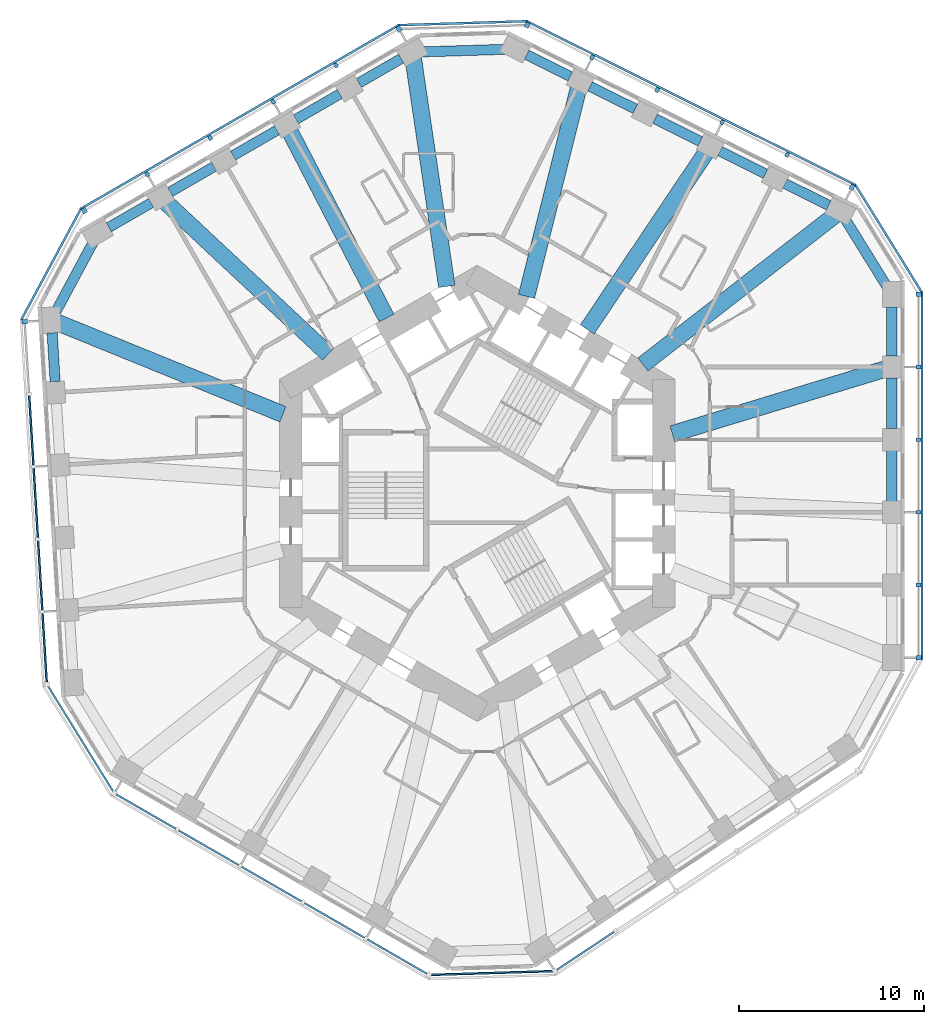
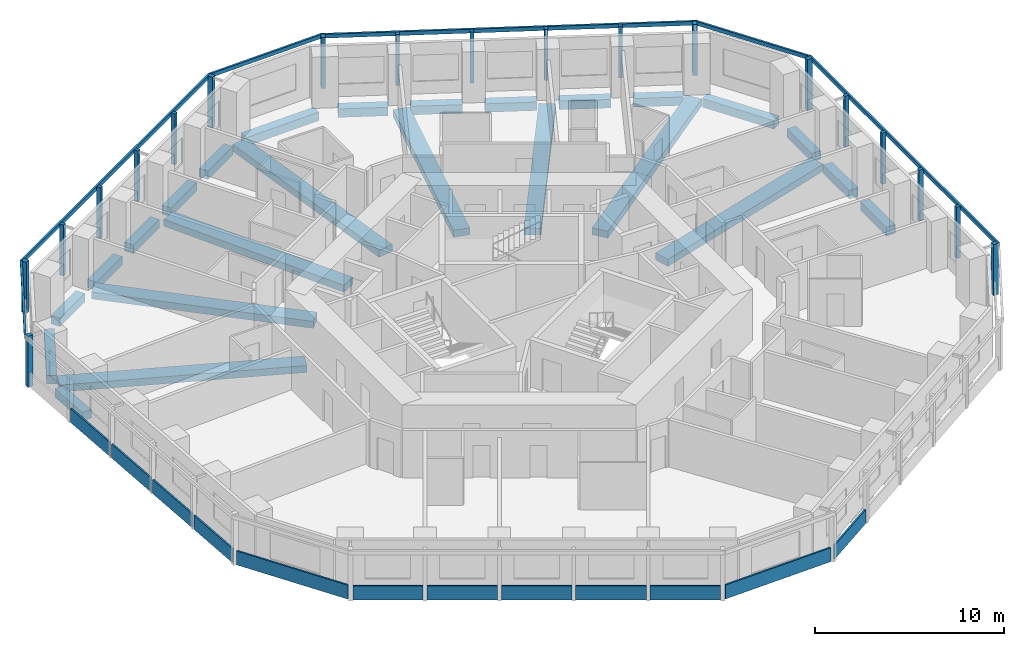
# One storey, part 2 of 12: 25 beams, 25 members, 12 plates, 11 elements without a shape of their own.
"""IFC4 building model written with IfcOpenShell, lengths in metres."""

from ifc_helpers import new_model, si_unit, direction, frame, origin, origin_2d, place, context, subcontext, project, spatial, rectangle, extrude, material, layer, layer_set, material_profile, profile_set, type_object, element, aggregate, save


model = new_model("IFC4")

# Units and contexts
model_context = context("Model", 3, precision=1e-05, world=origin(), true_north=direction((0.0, 1.0)))
body_context = subcontext(model_context, "Body", "Model", "MODEL_VIEW")
ifc_project = project(units=[si_unit("LENGTHUNIT", "METRE"), si_unit("AREAUNIT", "SQUARE_METRE"), si_unit("VOLUMEUNIT", "CUBIC_METRE"), si_unit("PLANEANGLEUNIT", "RADIAN"), si_unit("MASSUNIT", "GRAM", prefix="KILO")], contexts=[model_context])

# Site, building, storey
site_placement = place(None, origin())
site = spatial("IfcSite", under=ifc_project, at=site_placement, CompositionType="ELEMENT")
building_placement = place(site_placement, origin())
building = spatial("IfcBuilding", under=site, at=building_placement, Name="Vanh Sen Convention Tower", CompositionType="ELEMENT")
storey_placement = place(building_placement, frame((0.0, 0.0, 83.60009765625)))
storey = spatial("IfcBuildingStorey", under=building, at=storey_placement, Name="L18", CompositionType="ELEMENT", Elevation=83.60009765625)

# Curtain wall, members
ifc_material_1 = material(Name="Concrete C50/60", Category="concrete")
curtain_wall_type = type_object("IfcCurtainWallType", Name="Outer skin hotel zone", PredefinedType="NOTDEFINED", material=ifc_material_1)
curtain_wall_1_placement = place(storey_placement, origin())
curtain_wall_1 = element("IfcCurtainWall", 1, at=curtain_wall_1_placement, inside=storey, type_object=curtain_wall_type, Name="OUTER SKIN E L18", PredefinedType="NOTDEFINED")
ifc_material_profile_1 = material_profile(ifc_material_1, rectangle(XDim=0.25, YDim=0.300048828125, at=origin_2d()), Name="Outer skin precast corner fin 250 x 300")
ifc_profile_set_1 = profile_set([ifc_material_profile_1], Name="Concrete C50/60")
member_type_1 = type_object("IfcMemberType", Name="Outer skin precast corner fin 250 x 300", PredefinedType="MULLION", material=ifc_profile_set_1)
member_1_placement = place(storey_placement, frame((23.89990234375, -8.899169921875, 0.0), z_axis=(0.0, 0.0, 1.0), x_axis=(0.0, 1.0, 0.0)))
member_1 = element("IfcMember", 2, at=member_1_placement, type_object=member_type_1, Name="OUTER SKIN CORNER FIN 1 E L18", PredefinedType="MULLION", context=body_context, shape_type="SweptSolid", body=[
    extrude(rectangle(XDim=0.25, YDim=0.300048828125, at=origin_2d()), origin(), (0.0, 0.0, 1.0), 3.2998046875),
])
member_2_placement = place(storey_placement, frame((23.89990234375, 10.773681640625, 0.0), z_axis=(0.0, 0.0, 1.0), x_axis=(0.0, 1.0, 0.0)))
member_2 = element("IfcMember", 3, at=member_2_placement, type_object=member_type_1, Name="OUTER SKIN CORNER FIN 6 E L18", PredefinedType="MULLION", context=body_context, shape_type="SweptSolid", body=[
    extrude(rectangle(XDim=0.25, YDim=0.300048828125, at=origin_2d()), origin(), (0.0, 0.0, 1.0), 3.2998046875),
])

curtain_wall_2_placement = place(storey_placement, origin())
curtain_wall_2 = element("IfcCurtainWall", 4, at=curtain_wall_2_placement, inside=storey, type_object=curtain_wall_type, Name="OUTER SKIN NE L18", PredefinedType="NOTDEFINED")
member_3_placement = place(storey_placement, frame((20.305908203125, 16.581787109375, 0.0), z_axis=(0.0, 0.0, 1.0), x_axis=(-0.894934361602, 0.44619781311, 0.0)))
member_3 = element("IfcMember", 5, at=member_3_placement, type_object=member_type_1, Name="OUTER SKIN CORNER FIN 1 NE L18", PredefinedType="MULLION", context=body_context, shape_type="SweptSolid", body=[
    extrude(rectangle(XDim=0.25, YDim=0.300048828125, at=origin_2d()), origin(), (0.0, 0.0, 1.0), 3.2998046875),
])
member_4_placement = place(storey_placement, frame((2.699951171875, 25.35986328125, 0.0), z_axis=(0.0, 0.0, 1.0), x_axis=(-0.894934361602, 0.44619781311, 0.0)))
member_4 = element("IfcMember", 6, at=member_4_placement, type_object=member_type_1, Name="OUTER SKIN CORNER FIN 6 NE L18", PredefinedType="MULLION", context=body_context, shape_type="SweptSolid", body=[
    extrude(rectangle(XDim=0.25, YDim=0.300048828125, at=origin_2d()), origin(), (0.0, 0.0, 1.0), 3.2998046875),
])

curtain_wall_3_placement = place(storey_placement, origin())
curtain_wall_3 = element("IfcCurtainWall", 7, at=curtain_wall_3_placement, inside=storey, type_object=curtain_wall_type, Name="OUTER SKIN NW L18", PredefinedType="NOTDEFINED")
member_5_placement = place(storey_placement, frame((-4.242919921875, 25.147705078125, 0.0), z_axis=(0.0, 0.0, 1.0), x_axis=(-0.866025403784, -0.5, 0.0)))
member_5 = element("IfcMember", 8, at=member_5_placement, type_object=member_type_1, Name="OUTER SKIN CORNER FIN 1 NW L18", PredefinedType="MULLION", context=body_context, shape_type="SweptSolid", body=[
    extrude(rectangle(XDim=0.25, YDim=0.300048828125, at=origin_2d()), origin(), (0.0, 0.0, 1.0), 3.2998046875),
])
member_6_placement = place(storey_placement, frame((-21.2802734375, 15.31103515625, 0.0), z_axis=(0.0, 0.0, 1.0), x_axis=(-0.866025403784, -0.5, 0.0)))
member_6 = element("IfcMember", 9, at=member_6_placement, type_object=member_type_1, Name="OUTER SKIN CORNER FIN 6 NW L18", PredefinedType="MULLION", context=body_context, shape_type="SweptSolid", body=[
    extrude(rectangle(XDim=0.25, YDim=0.300048828125, at=origin_2d()), origin(), (0.0, 0.0, 1.0), 3.2998046875),
])

# Curtain wall, member
curtain_wall_4_placement = place(storey_placement, origin())
curtain_wall_4 = element("IfcCurtainWall", 10, at=curtain_wall_4_placement, inside=storey, type_object=curtain_wall_type, Name="OUTER SKIN W L18", PredefinedType="NOTDEFINED")
member_7_placement = place(storey_placement, frame((-24.51318359375, 9.294677734375, 0.0), z_axis=(0.0, 0.0, 1.0), x_axis=(0.061048539535, -0.998134798422, 0.0)))
member_7 = element("IfcMember", 11, at=member_7_placement, type_object=member_type_1, Name="OUTER SKIN CORNER FIN 1 W L18", PredefinedType="MULLION", context=body_context, shape_type="SweptSolid", body=[
    extrude(rectangle(XDim=0.25, YDim=0.300048828125, at=origin_2d()), origin(), (0.0, 0.0, 1.0), 3.2998046875),
])

# Member
ifc_material_profile_2 = material_profile(ifc_material_1, rectangle(XDim=0.199951171875, YDim=0.25, at=origin_2d()), Name="Outer skin precast fin 200 x 250")
ifc_profile_set_2 = profile_set([ifc_material_profile_2], Name="Concrete C50/60")
member_type_2 = type_object("IfcMemberType", Name="Outer skin precast fin 200 x 250", PredefinedType="MULLION", material=ifc_profile_set_2)
member_8_placement = place(storey_placement, frame((23.89990234375, -4.964599609375, 0.0), z_axis=(0.0, 0.0, 1.0), x_axis=(0.0, 1.0, 0.0)))
member_8 = element("IfcMember", 12, at=member_8_placement, type_object=member_type_2, Name="OUTER SKIN fin 2 E L18", PredefinedType="MULLION", context=body_context, shape_type="SweptSolid", body=[
    extrude(rectangle(XDim=0.199951171875, YDim=0.25, at=origin_2d()), origin(), (0.0, 0.0, 1.0), 3.2998046875),
])

member_9_placement = place(storey_placement, frame((23.89990234375, -1.030029296875, 0.0), z_axis=(0.0, 0.0, 1.0), x_axis=(0.0, 1.0, 0.0)))
member_9 = element("IfcMember", 13, at=member_9_placement, type_object=member_type_2, Name="OUTER SKIN fin 3 E L18", PredefinedType="MULLION", context=body_context, shape_type="SweptSolid", body=[
    extrude(rectangle(XDim=0.199951171875, YDim=0.25, at=origin_2d()), origin(), (0.0, 0.0, 1.0), 3.2998046875),
])

member_10_placement = place(storey_placement, frame((23.89990234375, 2.904541015625, 0.0), z_axis=(0.0, 0.0, 1.0), x_axis=(0.0, 1.0, 0.0)))
member_10 = element("IfcMember", 14, at=member_10_placement, type_object=member_type_2, Name="OUTER SKIN fin 4 E L18", PredefinedType="MULLION", context=body_context, shape_type="SweptSolid", body=[
    extrude(rectangle(XDim=0.199951171875, YDim=0.25, at=origin_2d()), origin(), (0.0, 0.0, 1.0), 3.2998046875),
])

member_11_placement = place(storey_placement, frame((23.89990234375, 6.839111328125, 0.0), z_axis=(0.0, 0.0, 1.0), x_axis=(0.0, 1.0, 0.0)))
member_11 = element("IfcMember", 15, at=member_11_placement, type_object=member_type_2, Name="OUTER SKIN fin 5 E L18", PredefinedType="MULLION", context=body_context, shape_type="SweptSolid", body=[
    extrude(rectangle(XDim=0.199951171875, YDim=0.25, at=origin_2d()), origin(), (0.0, 0.0, 1.0), 3.2998046875),
])

member_12_placement = place(storey_placement, frame((16.78466796875, 18.33740234375, 0.0), z_axis=(0.0, 0.0, 1.0), x_axis=(-0.894934361602, 0.44619781311, 0.0)))
member_12 = element("IfcMember", 16, at=member_12_placement, type_object=member_type_2, Name="OUTER SKIN fin 2 NE L18", PredefinedType="MULLION", context=body_context, shape_type="SweptSolid", body=[
    extrude(rectangle(XDim=0.199951171875, YDim=0.25, at=origin_2d()), origin(), (0.0, 0.0, 1.0), 3.2998046875),
])

member_13_placement = place(storey_placement, frame((13.263427734375, 20.093017578125, 0.0), z_axis=(0.0, 0.0, 1.0), x_axis=(-0.894934361602, 0.44619781311, 0.0)))
member_13 = element("IfcMember", 17, at=member_13_placement, type_object=member_type_2, Name="OUTER SKIN fin 3 NE L18", PredefinedType="MULLION", context=body_context, shape_type="SweptSolid", body=[
    extrude(rectangle(XDim=0.199951171875, YDim=0.25, at=origin_2d()), origin(), (0.0, 0.0, 1.0), 3.2998046875),
])

member_14_placement = place(storey_placement, frame((9.7421875, 21.8486328125, 0.0), z_axis=(0.0, 0.0, 1.0), x_axis=(-0.894934361602, 0.44619781311, 0.0)))
member_14 = element("IfcMember", 18, at=member_14_placement, type_object=member_type_2, Name="OUTER SKIN fin 4 NE L18", PredefinedType="MULLION", context=body_context, shape_type="SweptSolid", body=[
    extrude(rectangle(XDim=0.199951171875, YDim=0.25, at=origin_2d()), origin(), (0.0, 0.0, 1.0), 3.2998046875),
])

member_15_placement = place(storey_placement, frame((6.22119140625, 23.604248046875, 0.0), z_axis=(0.0, 0.0, 1.0), x_axis=(-0.894934361602, 0.44619781311, 0.0)))
member_15 = element("IfcMember", 19, at=member_15_placement, type_object=member_type_2, Name="OUTER SKIN fin 5 NE L18", PredefinedType="MULLION", context=body_context, shape_type="SweptSolid", body=[
    extrude(rectangle(XDim=0.199951171875, YDim=0.25, at=origin_2d()), origin(), (0.0, 0.0, 1.0), 3.2998046875),
])

member_16_placement = place(storey_placement, frame((-7.650390625, 23.180419921875, 0.0), z_axis=(0.0, 0.0, 1.0), x_axis=(-0.866025403784, -0.5, 0.0)))
member_16 = element("IfcMember", 20, at=member_16_placement, type_object=member_type_2, Name="OUTER SKIN fin 2 NW L18", PredefinedType="MULLION", context=body_context, shape_type="SweptSolid", body=[
    extrude(rectangle(XDim=0.199951171875, YDim=0.25, at=origin_2d()), origin(), (0.0, 0.0, 1.0), 3.2998046875),
])

member_17_placement = place(storey_placement, frame((-11.057861328125, 21.212890625, 0.0), z_axis=(0.0, 0.0, 1.0), x_axis=(-0.866025403784, -0.5, 0.0)))
member_17 = element("IfcMember", 21, at=member_17_placement, type_object=member_type_2, Name="OUTER SKIN fin 3 NW L18", PredefinedType="MULLION", context=body_context, shape_type="SweptSolid", body=[
    extrude(rectangle(XDim=0.199951171875, YDim=0.25, at=origin_2d()), origin(), (0.0, 0.0, 1.0), 3.2998046875),
])

member_18_placement = place(storey_placement, frame((-14.46533203125, 19.24560546875, 0.0), z_axis=(0.0, 0.0, 1.0), x_axis=(-0.866025403784, -0.5, 0.0)))
member_18 = element("IfcMember", 22, at=member_18_placement, type_object=member_type_2, Name="OUTER SKIN fin 4 NW L18", PredefinedType="MULLION", context=body_context, shape_type="SweptSolid", body=[
    extrude(rectangle(XDim=0.199951171875, YDim=0.25, at=origin_2d()), origin(), (0.0, 0.0, 1.0), 3.2998046875),
])

member_19_placement = place(storey_placement, frame((-17.872802734375, 17.2783203125, 0.0), z_axis=(0.0, 0.0, 1.0), x_axis=(-0.866025403784, -0.5, 0.0)))
member_19 = element("IfcMember", 23, at=member_19_placement, type_object=member_type_2, Name="OUTER SKIN fin 5 NW L18", PredefinedType="MULLION", context=body_context, shape_type="SweptSolid", body=[
    extrude(rectangle(XDim=0.199951171875, YDim=0.25, at=origin_2d()), origin(), (0.0, 0.0, 1.0), 3.2998046875),
])

ifc_material_profile_3 = material_profile(ifc_material_1, rectangle(XDim=0.1201171875, YDim=0.25, at=origin_2d()), Name="Outer skin precast spandrel band 250 x 120")
ifc_profile_set_3 = profile_set([ifc_material_profile_3], Name="Concrete C50/60")
member_type_3 = type_object("IfcMemberType", Name="Outer skin precast spandrel band 250 x 120", PredefinedType="USERDEFINED", material=ifc_profile_set_3)
member_20_placement = place(storey_placement, frame((24.0849609375, -9.024169921875, 3.1748046875), z_axis=(0.0, 1.0, 0.0), x_axis=(-1.0, 0.0, 0.0)))
member_20 = element("IfcMember", 24, at=member_20_placement, type_object=member_type_3, Name="OUTER SKIN spandrel band E L18", ObjectType="TRANSOM", PredefinedType="USERDEFINED", context=body_context, shape_type="SweptSolid", body=[
    extrude(rectangle(XDim=0.1201171875, YDim=0.25, at=origin_2d()), origin(), (0.0, 0.0, 1.0), 19.9228515625),
])

aggregate(curtain_wall_1, [member_1, member_8, member_9, member_10, member_11, member_2, member_20])

# Curtain wall, member
curtain_wall_5_placement = place(storey_placement, origin())
curtain_wall_5 = element("IfcCurtainWall", 25, at=curtain_wall_5_placement, inside=storey, type_object=curtain_wall_type, Name="OUTER SKIN CH1 L18", PredefinedType="NOTDEFINED")
member_21_placement = place(storey_placement, frame((24.07861328125, 10.88427734375, 3.1748046875), z_axis=(-0.526195864379, 0.850363400148, 0.0), x_axis=(-0.850363400148, -0.526195864379, 0.0)))
member_21 = element("IfcMember", 26, at=member_21_placement, type_object=member_type_3, Name="OUTER SKIN spandrel band CH1 L18", ObjectType="TRANSOM", PredefinedType="USERDEFINED", context=body_context, shape_type="SweptSolid", body=[
    extrude(rectangle(XDim=0.1201171875, YDim=0.25, at=origin_2d()), origin(), (0.0, 0.0, 1.0), 6.830078125),
])
aggregate(curtain_wall_5, [member_21])

# Member
member_22_placement = place(storey_placement, frame((20.500244140625, 16.69140625, 3.1748046875), z_axis=(-0.894931498167, 0.446203556227, 0.0), x_axis=(-0.446203556227, -0.894931498167, 0.0)))
member_22 = element("IfcMember", 27, at=member_22_placement, type_object=member_type_3, Name="OUTER SKIN spandrel band NE L18", ObjectType="TRANSOM", PredefinedType="USERDEFINED", context=body_context, shape_type="SweptSolid", body=[
    extrude(rectangle(XDim=0.1201171875, YDim=0.25, at=origin_2d()), origin(), (0.0, 0.0, 1.0), 19.9228515625),
])

aggregate(curtain_wall_2, [member_3, member_12, member_13, member_14, member_15, member_4, member_22])

# Curtain wall, member
curtain_wall_6_placement = place(storey_placement, origin())
curtain_wall_6 = element("IfcCurtainWall", 28, at=curtain_wall_6_placement, inside=storey, type_object=curtain_wall_type, Name="OUTER SKIN CH2 L18", PredefinedType="NOTDEFINED")
member_23_placement = place(storey_placement, frame((2.693603515625, 25.569580078125, 3.1748046875), z_axis=(-0.999533472857, -0.030542374483, 0.0), x_axis=(0.030542374483, -0.999533472857, 0.0)))
member_23 = element("IfcMember", 29, at=member_23_placement, type_object=member_type_3, Name="OUTER SKIN spandrel band CH2 L18", ObjectType="TRANSOM", PredefinedType="USERDEFINED", context=body_context, shape_type="SweptSolid", body=[
    extrude(rectangle(XDim=0.1201171875, YDim=0.25, at=origin_2d()), origin(), (0.0, 0.0, 1.0), 6.9462890625),
])
aggregate(curtain_wall_6, [member_23])

# Member
member_24_placement = place(storey_placement, frame((-4.227294921875, 25.370361328125, 3.1748046875), z_axis=(-0.866028047459, -0.499995420993, 0.0), x_axis=(0.499995420993, -0.866028047459, 0.0)))
member_24 = element("IfcMember", 30, at=member_24_placement, type_object=member_type_3, Name="OUTER SKIN spandrel band NW L18", ObjectType="TRANSOM", PredefinedType="USERDEFINED", context=body_context, shape_type="SweptSolid", body=[
    extrude(rectangle(XDim=0.1201171875, YDim=0.25, at=origin_2d()), origin(), (0.0, 0.0, 1.0), 19.923095703125),
])

aggregate(curtain_wall_3, [member_5, member_16, member_17, member_18, member_19, member_6, member_24])

# Curtain wall, member
curtain_wall_7_placement = place(storey_placement, origin())
curtain_wall_7 = element("IfcCurtainWall", 31, at=curtain_wall_7_placement, inside=storey, type_object=curtain_wall_type, Name="OUTER SKIN CH3 L18", PredefinedType="NOTDEFINED")
member_25_placement = place(storey_placement, frame((-21.46533203125, 15.410400390625, 3.1748046875), z_axis=(-0.473315186561, -0.880893145717, 0.0), x_axis=(0.880893145717, -0.473315186561, 0.0)))
member_25 = element("IfcMember", 32, at=member_25_placement, type_object=member_type_3, Name="OUTER SKIN spandrel band CH3 L18", ObjectType="TRANSOM", PredefinedType="USERDEFINED", context=body_context, shape_type="SweptSolid", body=[
    extrude(rectangle(XDim=0.1201171875, YDim=0.25, at=origin_2d()), origin(), (0.0, 0.0, 1.0), 6.829833984375),
])
aggregate(curtain_wall_7, [member_25])

# Beams
ifc_material_2 = material(Name="Concrete C50/60", Category="concrete")
ifc_material_profile_4 = material_profile(ifc_material_2, rectangle(XDim=0.89990234375, YDim=0.449951171875, at=origin_2d()), Name="RC 900X450")
ifc_profile_set_4 = profile_set([ifc_material_profile_4], Name="Concrete C50/60")
beam_type_1 = type_object("IfcBeamType", Name="Radial floor beam 900 x 450", PredefinedType="BEAM", material=ifc_profile_set_4)
beam_1_placement = place(storey_placement, frame((22.0859375, 6.728271484375, -0.47509765625), z_axis=(-0.956595291153, -0.291419712689, 0.0), x_axis=(0.291419712689, -0.956595291153, 0.0)))
element("IfcBeam", 33, at=beam_1_placement, inside=storey, type_object=beam_type_1, Name="Radial beam 03 L18", PredefinedType="BEAM", context=body_context, shape_type="SweptSolid", body=[
    extrude(rectangle(XDim=0.89990234375, YDim=0.449951171875, at=origin_2d()), origin(), (0.0, 0.0, 1.0), 12.04443359375),
])
beam_2_placement = place(storey_placement, frame((19.3955078125, 15.079345703125, -0.47509765625), z_axis=(-0.789464705625, -0.61379595842, 0.0), x_axis=(0.61379595842, -0.789464705625, 0.0)))
element("IfcBeam", 34, at=beam_2_placement, inside=storey, type_object=beam_type_1, Name="Radial beam 04 L18", PredefinedType="BEAM", context=body_context, shape_type="SweptSolid", body=[
    extrude(rectangle(XDim=0.89990234375, YDim=0.449951171875, at=origin_2d()), origin(), (0.0, 0.0, 1.0), 13.204345703125),
])
beam_3_placement = place(storey_placement, frame((12.37060546875, 18.42919921875, -0.47509765625), z_axis=(-0.557321786786, -0.830296589162, 0.0), x_axis=(0.830296589162, -0.557321786786, 0.0)))
element("IfcBeam", 35, at=beam_3_placement, inside=storey, type_object=beam_type_1, Name="Radial beam 05 L18", PredefinedType="BEAM", context=body_context, shape_type="SweptSolid", body=[
    extrude(rectangle(XDim=0.89990234375, YDim=0.449951171875, at=origin_2d()), origin(), (0.0, 0.0, 1.0), 11.507080078125),
])
beam_4_placement = place(storey_placement, frame((5.475341796875, 21.9111328125, -0.47509765625), z_axis=(-0.242431531098, -0.970168517697, 0.0), x_axis=(0.970168517697, -0.242431531098, 0.0)))
element("IfcBeam", 36, at=beam_4_placement, inside=storey, type_object=beam_type_1, Name="Radial beam 06 L18", PredefinedType="BEAM", context=body_context, shape_type="SweptSolid", body=[
    extrude(rectangle(XDim=0.89990234375, YDim=0.449951171875, at=origin_2d()), origin(), (0.0, 0.0, 1.0), 11.589111328125),
])
beam_5_placement = place(storey_placement, frame((-3.46630859375, 23.541259765625, -0.47509765625), z_axis=(0.145680012358, -0.989331761342, 0.0), x_axis=(0.989331761342, 0.145680012358, 0.0)))
element("IfcBeam", 37, at=beam_5_placement, inside=storey, type_object=beam_type_1, Name="Radial beam 07 L18", PredefinedType="BEAM", context=body_context, shape_type="SweptSolid", body=[
    extrude(rectangle(XDim=0.89990234375, YDim=0.449951171875, at=origin_2d()), origin(), (0.0, 0.0, 1.0), 12.468505859375),
])
beam_6_placement = place(storey_placement, frame((-10.114501953125, 19.53564453125, -0.47509765625), z_axis=(0.459772199707, -0.88803689359, 0.0), x_axis=(0.88803689359, 0.459772199707, 0.0)))
element("IfcBeam", 38, at=beam_6_placement, inside=storey, type_object=beam_type_1, Name="Radial beam 08 L18", PredefinedType="BEAM", context=body_context, shape_type="SweptSolid", body=[
    extrude(rectangle(XDim=0.89990234375, YDim=0.449951171875, at=origin_2d()), origin(), (0.0, 0.0, 1.0), 11.31298828125),
])
beam_7_placement = place(storey_placement, frame((-16.869873046875, 15.762939453125, -0.47509765625), z_axis=(0.730668926441, -0.68273195321, 0.0), x_axis=(0.68273195321, 0.730668926441, 0.0)))
element("IfcBeam", 39, at=beam_7_placement, inside=storey, type_object=beam_type_1, Name="Radial beam 09 L18", PredefinedType="BEAM", context=body_context, shape_type="SweptSolid", body=[
    extrude(rectangle(XDim=0.89990234375, YDim=0.449951171875, at=origin_2d()), origin(), (0.0, 0.0, 1.0), 12.044921875),
])
beam_8_placement = place(storey_placement, frame((-22.7568359375, 9.25732421875, -0.47509765625), z_axis=(0.926294416538, -0.376800549216, 0.0), x_axis=(0.376800549216, 0.926294416538, 0.0)))
element("IfcBeam", 40, at=beam_8_placement, inside=storey, type_object=beam_type_1, Name="Radial beam 10 L18", PredefinedType="BEAM", context=body_context, shape_type="SweptSolid", body=[
    extrude(rectangle(XDim=0.89990234375, YDim=0.449951171875, at=origin_2d()), origin(), (0.0, 0.0, 1.0), 13.2041015625),
])
ifc_material_profile_5 = material_profile(ifc_material_2, rectangle(XDim=0.550048828125, YDim=0.550048828125, at=origin_2d()), Name="RC 550X550")
ifc_profile_set_5 = profile_set([ifc_material_profile_5], Name="Concrete C50/60")
beam_type_2 = type_object("IfcBeamType", Name="Spandrel beam 550 x 550", PredefinedType="SPANDREL", material=ifc_profile_set_5)
for number, where, z_axis, x_axis, name in (
    (41, (22.449951171875, -0.43505859375, -0.525146484375), (0.0, 1.0, 0.0), (-1.0, 0.0, 0.0), "Spandrel beam 03 L18"),
    (42, (22.449951171875, 3.49951171875, -0.525146484375), (0.0, 1.0, 0.0), (-1.0, 0.0, 0.0), "Spandrel beam 04 L18"),
):
    element("IfcBeam", number, at=place(storey_placement, frame(where, z_axis=z_axis, x_axis=x_axis)), inside=storey, type_object=beam_type_2, Name=name, PredefinedType="SPANDREL", context=body_context, shape_type="SweptSolid", body=[
        extrude(rectangle(XDim=0.550048828125, YDim=0.550048828125, at=origin_2d()), origin(), (0.0, 0.0, 1.0), 2.74462890625),
    ])
beam_9_placement = place(storey_placement, frame((22.449951171875, 7.43408203125, -0.525146484375), z_axis=(0.0, 1.0, 0.0), x_axis=(-1.0, 0.0, 0.0)))
element("IfcBeam", 43, at=beam_9_placement, inside=storey, type_object=beam_type_2, Name="Spandrel beam 05 L18", PredefinedType="SPANDREL", context=body_context, shape_type="SweptSolid", body=[
    extrude(rectangle(XDim=0.550048828125, YDim=0.550048828125, at=origin_2d()), origin(), (0.0, 0.0, 1.0), 2.64453125),
])
beam_10_placement = place(storey_placement, frame((22.1865234375, 11.199462890625, -0.525146484375), z_axis=(-0.526204199605, 0.850358242342, 0.0), x_axis=(-0.850358242342, -0.526204199605, 0.0)))
element("IfcBeam", 44, at=beam_10_placement, inside=storey, type_object=beam_type_2, Name="Spandrel beam 06 L18", PredefinedType="SPANDREL", context=body_context, shape_type="SweptSolid", body=[
    extrude(rectangle(XDim=0.550048828125, YDim=0.550048828125, at=origin_2d()), origin(), (0.0, 0.0, 1.0), 4.302734375),
])
beam_11_placement = place(storey_placement, frame((19.036865234375, 15.59423828125, -0.525146484375), z_axis=(-0.894943581597, 0.446179320183, 0.0), x_axis=(-0.446179320183, -0.894943581597, 0.0)))
element("IfcBeam", 45, at=beam_11_placement, inside=storey, type_object=beam_type_2, Name="Spandrel beam 07 L18", PredefinedType="SPANDREL", context=body_context, shape_type="SweptSolid", body=[
    extrude(rectangle(XDim=0.550048828125, YDim=0.550048828125, at=origin_2d()), origin(), (0.0, 0.0, 1.0), 2.64453125),
])
for number, where, z_axis, x_axis, name in (
    (46, (15.605224609375, 17.30517578125, -0.525146484375), (-0.894942515368, 0.44618145881, 0.0), (-0.44618145881, -0.894942515368, 0.0), "Spandrel beam 08 L18"),
    (47, (12.083984375, 19.060791015625, -0.525146484375), (-0.894942515368, 0.44618145881, 0.0), (-0.44618145881, -0.894942515368, 0.0), "Spandrel beam 09 L18"),
):
    element("IfcBeam", number, at=place(storey_placement, frame(where, z_axis=z_axis, x_axis=x_axis)), inside=storey, type_object=beam_type_2, Name=name, PredefinedType="SPANDREL", context=body_context, shape_type="SweptSolid", body=[
        extrude(rectangle(XDim=0.550048828125, YDim=0.550048828125, at=origin_2d()), origin(), (0.0, 0.0, 1.0), 2.74462890625),
    ])
beam_12_placement = place(storey_placement, frame((8.562744140625, 20.81640625, -0.525146484375), z_axis=(-0.894924804947, 0.44621698028, 0.0), x_axis=(-0.44621698028, -0.894924804947, 0.0)))
element("IfcBeam", 48, at=beam_12_placement, inside=storey, type_object=beam_type_2, Name="Spandrel beam 10 L18", PredefinedType="SPANDREL", context=body_context, shape_type="SweptSolid", body=[
    extrude(rectangle(XDim=0.550048828125, YDim=0.550048828125, at=origin_2d()), origin(), (0.0, 0.0, 1.0), 2.744384765625),
])
beam_13_placement = place(storey_placement, frame((5.04150390625, 22.572021484375, -0.525146484375), z_axis=(-0.894943581597, 0.446179320183, 0.0), x_axis=(-0.446179320183, -0.894943581597, 0.0)))
element("IfcBeam", 49, at=beam_13_placement, inside=storey, type_object=beam_type_2, Name="Spandrel beam 11 L18", PredefinedType="SPANDREL", context=body_context, shape_type="SweptSolid", body=[
    extrude(rectangle(XDim=0.550048828125, YDim=0.550048828125, at=origin_2d()), origin(), (0.0, 0.0, 1.0), 2.64453125),
])
beam_14_placement = place(storey_placement, frame((1.513671875, 24.045654296875, -0.525146484375), z_axis=(-0.999533924707, -0.030527583592, 0.0), x_axis=(0.030527583592, -0.999533924707, 0.0)))
element("IfcBeam", 50, at=beam_14_placement, inside=storey, type_object=beam_type_2, Name="Spandrel beam 12 L18", PredefinedType="SPANDREL", context=body_context, shape_type="SweptSolid", body=[
    extrude(rectangle(XDim=0.550048828125, YDim=0.550048828125, at=origin_2d()), origin(), (0.0, 0.0, 1.0), 4.49462890625),
])
beam_15_placement = place(storey_placement, frame((-4.119873046875, 23.54443359375, -0.525146484375), z_axis=(-0.866030315638, -0.499991492324, 0.0), x_axis=(0.499991492324, -0.866030315638, 0.0)))
element("IfcBeam", 51, at=beam_15_placement, inside=storey, type_object=beam_type_2, Name="Spandrel beam 13 L18", PredefinedType="SPANDREL", context=body_context, shape_type="SweptSolid", body=[
    extrude(rectangle(XDim=0.550048828125, YDim=0.550048828125, at=origin_2d()), origin(), (0.0, 0.0, 1.0), 2.64453125),
])
beam_16_placement = place(storey_placement, frame((-7.44091796875, 21.627197265625, -0.525146484375), z_axis=(-0.866006330792, -0.500033033937, 0.0), x_axis=(0.500033033937, -0.866006330792, 0.0)))
element("IfcBeam", 52, at=beam_16_placement, inside=storey, type_object=beam_type_2, Name="Spandrel beam 14 L18", PredefinedType="SPANDREL", context=body_context, shape_type="SweptSolid", body=[
    extrude(rectangle(XDim=0.550048828125, YDim=0.550048828125, at=origin_2d()), origin(), (0.0, 0.0, 1.0), 2.744384765625),
])
for number, where, z_axis, x_axis, name in (
    (53, (-10.84814453125, 19.659912109375, -0.525146484375), (-0.866028570666, -0.499994514761, 0.0), (0.499994514761, -0.866028570666, 0.0), "Spandrel beam 15 L18"),
    (54, (-14.255615234375, 17.6923828125, -0.525146484375), (-0.866067086513, -0.499927796446, 0.0), (0.499927796446, -0.866067086513, 0.0), "Spandrel beam 16 L18"),
):
    element("IfcBeam", number, at=place(storey_placement, frame(where, z_axis=z_axis, x_axis=x_axis)), inside=storey, type_object=beam_type_2, Name=name, PredefinedType="SPANDREL", context=body_context, shape_type="SweptSolid", body=[
        extrude(rectangle(XDim=0.550048828125, YDim=0.550048828125, at=origin_2d()), origin(), (0.0, 0.0, 1.0), 2.74462890625),
    ])
beam_17_placement = place(storey_placement, frame((-17.6630859375, 15.72509765625, -0.525146484375), z_axis=(-0.866030315638, -0.499991492324, 0.0), x_axis=(0.499991492324, -0.866030315638, 0.0)))
element("IfcBeam", 55, at=beam_17_placement, inside=storey, type_object=beam_type_2, Name="Spandrel beam 17 L18", PredefinedType="SPANDREL", context=body_context, shape_type="SweptSolid", body=[
    extrude(rectangle(XDim=0.550048828125, YDim=0.550048828125, at=origin_2d()), origin(), (0.0, 0.0, 1.0), 2.64453125),
])
beam_18_placement = place(storey_placement, frame((-20.792236328125, 13.6142578125, -0.525146484375), z_axis=(-0.473348459073, -0.88087526716, 0.0), x_axis=(0.88087526716, -0.473348459073, 0.0)))
element("IfcBeam", 56, at=beam_18_placement, inside=storey, type_object=beam_type_2, Name="Spandrel beam 18 L18", PredefinedType="SPANDREL", context=body_context, shape_type="SweptSolid", body=[
    extrude(rectangle(XDim=0.550048828125, YDim=0.550048828125, at=origin_2d()), origin(), (0.0, 0.0, 1.0), 4.302490234375),
])
beam_19_placement = place(storey_placement, frame((-23.0234375, 8.689453125, -0.525146484375), z_axis=(0.061113817246, -0.998130803723, 0.0), x_axis=(0.998130803723, 0.061113817246, 0.0)))
element("IfcBeam", 57, at=beam_19_placement, inside=storey, type_object=beam_type_2, Name="Spandrel beam 19 L18", PredefinedType="SPANDREL", context=body_context, shape_type="SweptSolid", body=[
    extrude(rectangle(XDim=0.550048828125, YDim=0.550048828125, at=origin_2d()), origin(), (0.0, 0.0, 1.0), 2.64453125),
])

# Plate
ifc_layer = layer(ifc_material_1, 0.10009765625)
ifc_layer_set = layer_set([ifc_layer], Name="Concrete C50/60")
plate_type = type_object("IfcPlateType", Name="Outer skin precast screen panel 100", PredefinedType="CURTAIN_PANEL", material=ifc_layer_set)
plate_1_placement = place(storey_placement, frame((-24.15283203125, 3.40380859375, 0.0), z_axis=(0.0, 0.0, 1.0), x_axis=(0.061048539535, -0.998134798422, 0.0)))
plate_1 = element("IfcPlate", 58, at=plate_1_placement, type_object=plate_type, Name="OUTER SKIN screen panel W-2", PredefinedType="CURTAIN_PANEL", context=body_context, shape_type="SweptSolid", body=[
    extrude(rectangle(XDim=3.734619140625, YDim=0.10009765625, at=origin_2d()), origin(), (0.0, 0.0, 1.0), 0.89990234375),
])

plate_2_placement = place(storey_placement, frame((-23.91259765625, -0.523681640625, 0.0), z_axis=(0.0, 0.0, 1.0), x_axis=(0.061046797461, -0.99813490497, 0.0)))
plate_2 = element("IfcPlate", 59, at=plate_2_placement, type_object=plate_type, Name="OUTER SKIN screen panel W-3", PredefinedType="CURTAIN_PANEL", context=body_context, shape_type="SweptSolid", body=[
    extrude(rectangle(XDim=3.734619140625, YDim=0.10009765625, at=origin_2d()), origin(), (0.0, 0.0, 1.0), 0.89990234375),
])

plate_3_placement = place(storey_placement, frame((-23.67236328125, -4.45068359375, 0.0), z_axis=(0.0, 0.0, 1.0), x_axis=(0.061048539535, -0.998134798422, 0.0)))
plate_3 = element("IfcPlate", 60, at=plate_3_placement, type_object=plate_type, Name="OUTER SKIN screen panel W-4", PredefinedType="CURTAIN_PANEL", context=body_context, shape_type="SweptSolid", body=[
    extrude(rectangle(XDim=3.734619140625, YDim=0.10009765625, at=origin_2d()), origin(), (0.0, 0.0, 1.0), 0.89990234375),
])

plate_4_placement = place(storey_placement, frame((-23.43310546875, -8.365478515625, 0.0), z_axis=(0.0, 0.0, 1.0), x_axis=(0.061046797461, -0.99813490497, 0.0)))
plate_4 = element("IfcPlate", 61, at=plate_4_placement, type_object=plate_type, Name="OUTER SKIN screen panel W-5", PredefinedType="CURTAIN_PANEL", context=body_context, shape_type="SweptSolid", body=[
    extrude(rectangle(XDim=3.709716796875, YDim=0.10009765625, at=origin_2d()), origin(), (0.0, 0.0, 1.0), 0.89990234375),
])

aggregate(curtain_wall_4, [member_7, plate_1, plate_2, plate_3, plate_4])

# Curtain wall, plate
curtain_wall_8_placement = place(storey_placement, origin())
curtain_wall_8 = element("IfcCurtainWall", 62, at=curtain_wall_8_placement, inside=storey, type_object=curtain_wall_type, Name="OUTER SKIN CH4 L18", PredefinedType="NOTDEFINED")
plate_5_placement = place(storey_placement, frame((-21.484619140625, -13.295166015625, 0.0), z_axis=(0.0, 0.0, 1.0), x_axis=(0.526205018755, -0.850357735448, 0.0)))
plate_5 = element("IfcPlate", 63, at=plate_5_placement, type_object=plate_type, Name="OUTER SKIN screen panel CH4-1", PredefinedType="CURTAIN_PANEL", context=body_context, shape_type="SweptSolid", body=[
    extrude(rectangle(XDim=6.6962890625, YDim=0.10009765625, at=origin_2d()), origin(), (0.0, 0.0, 1.0), 0.89990234375),
])
aggregate(curtain_wall_8, [plate_5])

# Curtain wall, plates
curtain_wall_9_placement = place(storey_placement, origin())
curtain_wall_9 = element("IfcCurtainWall", 64, at=curtain_wall_9_placement, inside=storey, type_object=curtain_wall_type, Name="OUTER SKIN SW L18", PredefinedType="NOTDEFINED")
plate_6_placement = place(storey_placement, frame((-17.9423828125, -17.23828125, 0.0), z_axis=(0.0, 0.0, 1.0), x_axis=(0.866028021766, -0.499995465495, 0.0)))
plate_6 = element("IfcPlate", 65, at=plate_6_placement, type_object=plate_type, Name="OUTER SKIN screen panel SW-1", PredefinedType="CURTAIN_PANEL", context=body_context, shape_type="SweptSolid", body=[
    extrude(rectangle(XDim=3.709716796875, YDim=0.10009765625, at=origin_2d()), origin(), (0.0, 0.0, 1.0), 0.89990234375),
])
plate_7_placement = place(storey_placement, frame((-14.5458984375, -19.19921875, 0.0), z_axis=(0.0, 0.0, 1.0), x_axis=(0.866032385017, -0.499987907955, 0.0)))
plate_7 = element("IfcPlate", 66, at=plate_7_placement, type_object=plate_type, Name="OUTER SKIN screen panel SW-2", PredefinedType="CURTAIN_PANEL", context=body_context, shape_type="SweptSolid", body=[
    extrude(rectangle(XDim=3.734619140625, YDim=0.10009765625, at=origin_2d()), origin(), (0.0, 0.0, 1.0), 0.89990234375),
])
plate_8_placement = place(storey_placement, frame((-11.138427734375, -21.16650390625, 0.0), z_axis=(0.0, 0.0, 1.0), x_axis=(0.866028021766, -0.499995465495, 0.0)))
plate_8 = element("IfcPlate", 67, at=plate_8_placement, type_object=plate_type, Name="OUTER SKIN screen panel SW-3", PredefinedType="CURTAIN_PANEL", context=body_context, shape_type="SweptSolid", body=[
    extrude(rectangle(XDim=3.734619140625, YDim=0.10009765625, at=origin_2d()), origin(), (0.0, 0.0, 1.0), 0.89990234375),
])
plate_9_placement = place(storey_placement, frame((-7.73095703125, -23.1337890625, 0.0), z_axis=(0.0, 0.0, 1.0), x_axis=(0.866028021766, -0.499995465495, 0.0)))
plate_9 = element("IfcPlate", 68, at=plate_9_placement, type_object=plate_type, Name="OUTER SKIN screen panel SW-4", PredefinedType="CURTAIN_PANEL", context=body_context, shape_type="SweptSolid", body=[
    extrude(rectangle(XDim=3.734619140625, YDim=0.10009765625, at=origin_2d()), origin(), (0.0, 0.0, 1.0), 0.89990234375),
])
plate_10_placement = place(storey_placement, frame((-4.334228515625, -25.094970703125, 0.0), z_axis=(0.0, 0.0, 1.0), x_axis=(0.866021040428, -0.500007557478, 0.0)))
plate_10 = element("IfcPlate", 69, at=plate_10_placement, type_object=plate_type, Name="OUTER SKIN screen panel SW-5", PredefinedType="CURTAIN_PANEL", context=body_context, shape_type="SweptSolid", body=[
    extrude(rectangle(XDim=3.70947265625, YDim=0.10009765625, at=origin_2d()), origin(), (0.0, 0.0, 1.0), 0.89990234375),
])
aggregate(curtain_wall_9, [plate_6, plate_7, plate_8, plate_9, plate_10])

# Curtain wall, plate
curtain_wall_10_placement = place(storey_placement, origin())
curtain_wall_10 = element("IfcCurtainWall", 70, at=curtain_wall_10_placement, inside=storey, type_object=curtain_wall_type, Name="OUTER SKIN CH5 L18", PredefinedType="NOTDEFINED")
plate_11_placement = place(storey_placement, frame((0.793701171875, -25.98046875, 0.0), z_axis=(0.0, 0.0, 1.0), x_axis=(0.999533484231, 0.03054200224, 0.0)))
plate_11 = element("IfcPlate", 71, at=plate_11_placement, type_object=plate_type, Name="OUTER SKIN screen panel CH5-1", PredefinedType="CURTAIN_PANEL", context=body_context, shape_type="SweptSolid", body=[
    extrude(rectangle(XDim=6.580078125, YDim=0.10009765625, at=origin_2d()), origin(), (0.0, 0.0, 1.0), 0.89990234375),
])
aggregate(curtain_wall_10, [plate_11])

curtain_wall_11_placement = place(storey_placement, origin())
curtain_wall_11 = element("IfcCurtainWall", 72, at=curtain_wall_11_placement, inside=storey, type_object=curtain_wall_type, Name="OUTER SKIN SE L18", PredefinedType="NOTDEFINED")
plate_12_placement = place(storey_placement, frame((5.858154296875, -24.783447265625, 0.0), z_axis=(0.0, 0.0, 1.0), x_axis=(0.833891601892, 0.55192825285, 0.0)))
plate_12 = element("IfcPlate", 73, at=plate_12_placement, type_object=plate_type, Name="OUTER SKIN screen panel SE-1", PredefinedType="CURTAIN_PANEL", context=body_context, shape_type="SweptSolid", body=[
    extrude(rectangle(XDim=3.709716796875, YDim=0.10009765625, at=origin_2d()), origin(), (0.0, 0.0, 1.0), 0.89990234375),
])
aggregate(curtain_wall_11, [plate_12])

save(model, "model.ifc")
